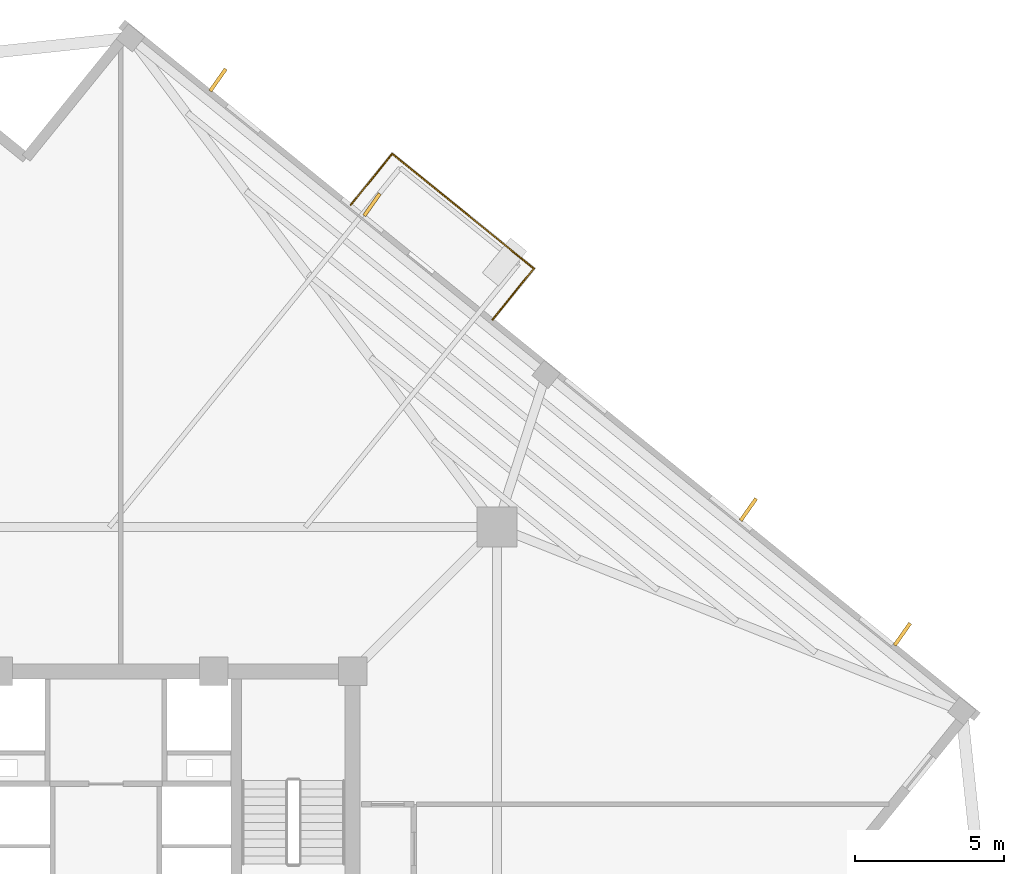
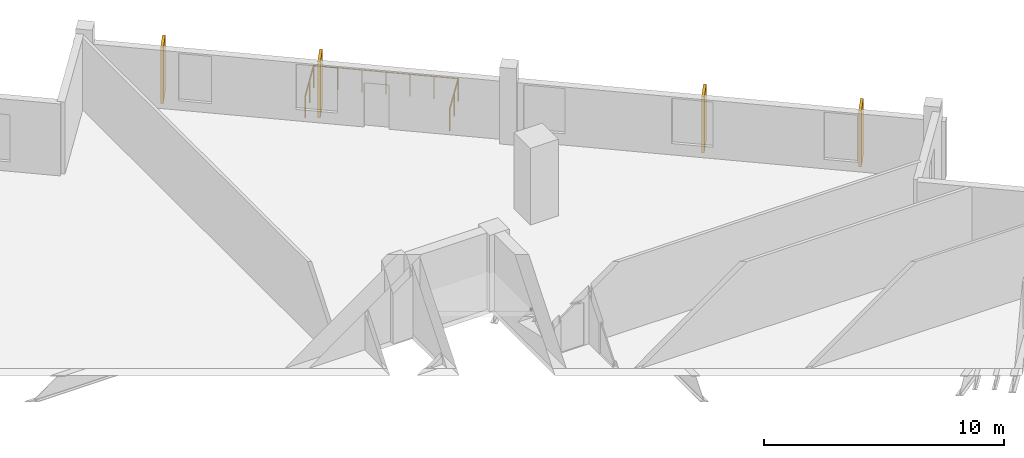
# One storey, part 10 of 10: 4 coverings, 3 railings.
"""IFC4 building model written with IfcOpenShell, lengths in metres."""

from ifc_helpers import new_model, si_unit, direction, frame, origin, origin_2d, place, context, subcontext, project, spatial, rectangle, circle, extrude, source, transform, mapped, material, layer, layer_set, type_object, element, save


model = new_model("IFC4")

# Units and contexts
model_context = context("Model", 3, precision=1e-05, world=origin(), true_north=direction((0.0, 1.0)))
body_context = subcontext(model_context, "Body", "Model", "MODEL_VIEW")
ifc_project = project(units=[si_unit("LENGTHUNIT", "METRE"), si_unit("AREAUNIT", "SQUARE_METRE"), si_unit("VOLUMEUNIT", "CUBIC_METRE"), si_unit("PLANEANGLEUNIT", "RADIAN"), si_unit("MASSUNIT", "GRAM", prefix="KILO"), si_unit("THERMODYNAMICTEMPERATUREUNIT", "KELVIN")], contexts=[model_context])

# Site, building, storey
site_placement = place(None, origin())
site = spatial("IfcSite", under=ifc_project, at=site_placement, CompositionType="ELEMENT")
building_placement = place(site_placement, origin())
building = spatial("IfcBuilding", under=site, at=building_placement, Name="Kosmvard Interchange Tower", CompositionType="ELEMENT")
storey_placement = place(building_placement, frame((0.0, 0.0, 205.60009765625)))
storey = spatial("IfcBuildingStorey", under=building, at=storey_placement, Name="L49", CompositionType="ELEMENT", Elevation=205.60009765625)

# Coverings
ifc_material_1 = material(Name="Architectural anodised aluminium", Category="aluminium")
ifc_layer = layer(ifc_material_1, 0.1201171875, Name="Architectural anodised aluminium")
ifc_layer_set = layer_set([ifc_layer], Name="Architectural anodised aluminium")
covering_type = type_object("IfcCoveringType", Name="Rotating Vertical Sun-Breaker Fin 900x120 Aluminium", PredefinedType="CLADDING", material=ifc_layer_set)
shared_shape_1 = source(origin(), body_context, "Body", "SweptSolid", [
    extrude(rectangle(XDim=0.89990234375, YDim=0.1201171875, at=origin_2d()), origin(), (0.0, 0.0, 1.0), 2.8798828125),
])
for number, where, z_axis, x_axis, name in (
    (1, (26.650146484375, 9.494384765625, 0.0400390625), (0.0, 0.0, 1.0), (0.576004381105, 0.817446605564, 0.0), "L49 Rotating Vertical Sun-Breaker Fin 05"),
    (2, (21.49658203125, 13.66748046875, 0.0400390625), (0.0, 0.0, 1.0), (0.576004381105, 0.817446605564, 0.0), "L49 Rotating Vertical Sun-Breaker Fin 06"),
    (3, (8.8994140625, 23.86865234375, 0.0400390625), (0.0, 0.0, 1.0), (0.576004381105, 0.817446605564, 0.0), "L49 Rotating Vertical Sun-Breaker Fin 07"),
    (4, (3.74609375, 28.041748046875, 0.0400390625), (0.0, 0.0, 1.0), (0.576004381105, 0.817446605564, 0.0), "L49 Rotating Vertical Sun-Breaker Fin 08"),
):
    element("IfcCovering", number, at=place(storey_placement, frame(where, z_axis=z_axis, x_axis=x_axis)), inside=storey, type_object=covering_type, Name=name, PredefinedType="CLADDING", context=body_context, shape_type="MappedRepresentation", body=[
        mapped(shared_shape_1, transform((0.0, 0.0, 0.0), scale=1.0)),
    ])

# Railings
ifc_material_2 = material(Name="Steel S355", Category="steel")
railing_type = type_object("IfcRailingType", Name="Observation & Balcony Glass-Infill Balustrade 1150", PredefinedType="BALUSTRADE", material=ifc_material_2)
shared_shape_2 = source(origin(), body_context, "Body", "SweptSolid", [
    extrude(circle(Radius=0.02392578125, at=origin_2d()), frame((0.0, 0.0, 1.1259765625), z_axis=(0.629325914736, 0.777141488432, 0.0), x_axis=(-0.777141488432, 0.629325914736, 0.0)), (0.0, 0.0, 1.0), 2.199951171875),
    extrude(circle(Radius=0.02099609375, at=origin_2d()), origin(), (0.0, 0.0, 1.0), 1.101806640625),
    extrude(circle(Radius=0.02099609375, at=origin_2d()), frame((0.6923828125, 0.85498046875, 0.0)), (0.0, 0.0, 1.0), 1.101806640625),
    extrude(circle(Radius=0.02099609375, at=origin_2d()), frame((1.384521484375, 1.709716796875, 0.0)), (0.0, 0.0, 1.0), 1.101806640625),
])
railing_1_placement = place(storey_placement, frame((12.93310546875, 20.023193359375, 0.0)))
element("IfcRailing", 5, at=railing_1_placement, inside=storey, type_object=railing_type, Name="L49 Outdoor Terrace Guard BAL-L49-E-A", PredefinedType="BALUSTRADE", context=body_context, shape_type="MappedRepresentation", body=[
    mapped(shared_shape_2, transform((0.0, 0.0, 0.0), scale=1.0)),
])
shared_shape_3 = source(origin(), body_context, "Body", "SweptSolid", [
    extrude(circle(Radius=0.02392578125, at=origin_2d()), frame((0.0, 0.0, 1.1259765625), z_axis=(-0.777137673017, 0.629330626282, 0.0), x_axis=(-0.629330626282, -0.777137673017, 0.0)), (0.0, 0.0, 1.0), 6.099853515625),
    extrude(circle(Radius=0.02099609375, at=origin_2d()), origin(), (0.0, 0.0, 1.0), 1.101806640625),
    extrude(circle(Radius=0.02099609375, at=origin_2d()), frame((-0.7900390625, 0.639892578125, 0.0)), (0.0, 0.0, 1.0), 1.101806640625),
    extrude(circle(Radius=0.02099609375, at=origin_2d()), frame((-1.580078125, 1.279541015625, 0.0)), (0.0, 0.0, 1.0), 1.101806640625),
    extrude(circle(Radius=0.02099609375, at=origin_2d()), frame((-2.3701171875, 1.91943359375, 0.0)), (0.0, 0.0, 1.0), 1.101806640625),
    extrude(circle(Radius=0.02099609375, at=origin_2d()), frame((-3.160400390625, 2.559326171875, 0.0)), (0.0, 0.0, 1.0), 1.101806640625),
    extrude(circle(Radius=0.02099609375, at=origin_2d()), frame((-3.950439453125, 3.198974609375, 0.0)), (0.0, 0.0, 1.0), 1.101806640625),
    extrude(circle(Radius=0.02099609375, at=origin_2d()), frame((-4.740478515625, 3.8388671875, 0.0)), (0.0, 0.0, 1.0), 1.101806640625),
])
railing_2_placement = place(storey_placement, frame((14.317626953125, 21.73291015625, 0.0)))
element("IfcRailing", 6, at=railing_2_placement, inside=storey, type_object=railing_type, Name="L49 Outdoor Terrace Guard BAL-L49-E-B", PredefinedType="BALUSTRADE", context=body_context, shape_type="MappedRepresentation", body=[
    mapped(shared_shape_3, transform((0.0, 0.0, 0.0), scale=1.0)),
])
shared_shape_4 = source(origin(), body_context, "Body", "SweptSolid", [
    extrude(circle(Radius=0.02392578125, at=origin_2d()), frame((0.0, 0.0, 1.1259765625), z_axis=(-0.629325914736, -0.777141488432, 0.0), x_axis=(0.777141488432, -0.629325914736, 0.0)), (0.0, 0.0, 1.0), 2.199951171875),
    extrude(circle(Radius=0.02099609375, at=origin_2d()), origin(), (0.0, 0.0, 1.0), 1.101806640625),
    extrude(circle(Radius=0.02099609375, at=origin_2d()), frame((-0.6923828125, -0.85498046875, 0.0)), (0.0, 0.0, 1.0), 1.101806640625),
    extrude(circle(Radius=0.02099609375, at=origin_2d()), frame((-1.384521484375, -1.709716796875, 0.0)), (0.0, 0.0, 1.0), 1.101806640625),
])
railing_3_placement = place(storey_placement, frame((9.5771484375, 25.57177734375, 0.0)))
element("IfcRailing", 7, at=railing_3_placement, inside=storey, type_object=railing_type, Name="L49 Outdoor Terrace Guard BAL-L49-E-C", PredefinedType="BALUSTRADE", context=body_context, shape_type="MappedRepresentation", body=[
    mapped(shared_shape_4, transform((0.0, 0.0, 0.0), scale=1.0)),
])

save(model, "model.ifc")
